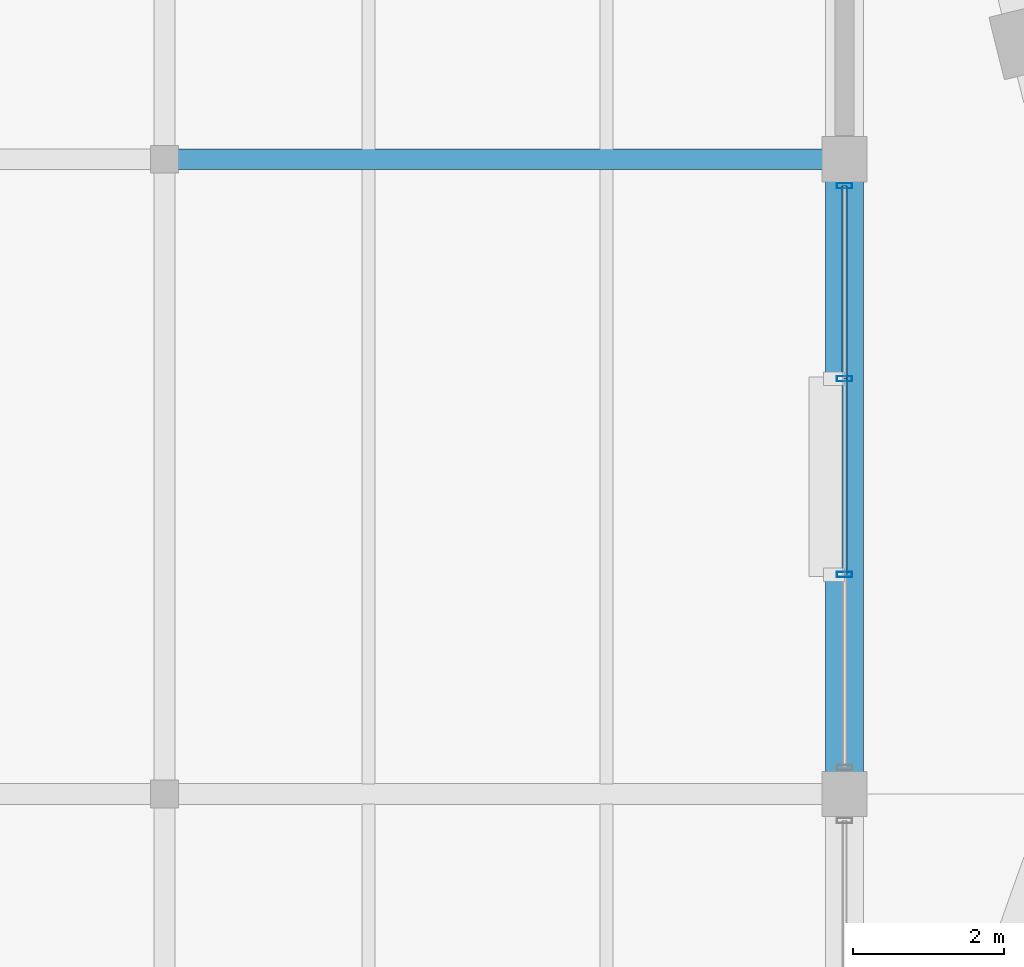
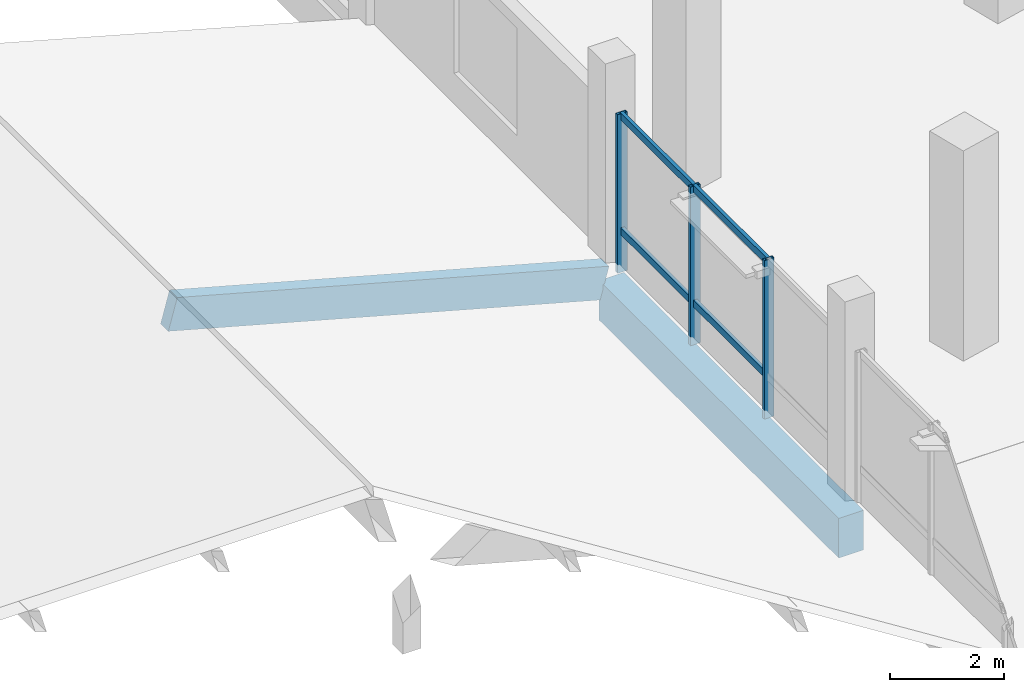
# One storey, part 22 of 77: 7 members, 2 beams, 1 element without a shape of its own.
"""IFC4 building model written with IfcOpenShell, lengths in metres."""

from ifc_helpers import new_model, si_unit, direction, frame, origin, origin_2d, place, context, subcontext, project, spatial, rectangle, hollow_rectangle, extrude, material, layer, layer_set, material_profile, profile_set, type_object, element, aggregate, save


model = new_model("IFC4")

# Units and contexts
model_context = context("Model", 3, precision=1e-05, world=origin(), true_north=direction((0.0, 1.0)))
body_context = subcontext(model_context, "Body", "Model", "MODEL_VIEW")
ifc_project = project(units=[si_unit("LENGTHUNIT", "METRE"), si_unit("AREAUNIT", "SQUARE_METRE"), si_unit("VOLUMEUNIT", "CUBIC_METRE"), si_unit("PLANEANGLEUNIT", "RADIAN"), si_unit("MASSUNIT", "GRAM", prefix="KILO")], contexts=[model_context])

# Site, building, storey
site_placement = place(None, origin())
site = spatial("IfcSite", under=ifc_project, at=site_placement, CompositionType="ELEMENT")
building_placement = place(site_placement, origin())
building = spatial("IfcBuilding", under=site, at=building_placement, Name="Meriwether Solvik Hall", CompositionType="ELEMENT")
storey_placement = place(building_placement, frame((0.0, 0.0, 9.89990234375)))
storey = spatial("IfcBuildingStorey", under=building, at=storey_placement, Name="L02", CompositionType="ELEMENT", Elevation=9.89990234375)

# Beams
ifc_material_1 = material(Name="Glulam Douglas-Fir 24F-V8 GL28h", Category="wood")
ifc_material_profile_1 = material_profile(ifc_material_1, rectangle(XDim=0.27294921875, YDim=0.68505859375, at=origin_2d()), Name="GLB-273X685")
ifc_profile_set_1 = profile_set([ifc_material_profile_1], Name="Glulam Douglas-Fir 24F-V8 GL28h")
beam_type_1 = type_object("IfcBeamType", Name="BM-GL-273X685", PredefinedType="BEAM", material=ifc_profile_set_1)
beam_1_placement = place(storey_placement, frame((59.181640625, 66.800048828125, -0.314208984375), z_axis=(-0.964611383686, 0.0, 0.263675707002), x_axis=(0.0, -1.0, 0.0)))
element("IfcBeam", 1, at=beam_1_placement, inside=storey, type_object=beam_type_1, Name="Raking Glulam Roof Rafter w1_east_gbl_e-H (L02)", PredefinedType="BEAM", context=body_context, shape_type="SweptSolid", body=[
    extrude(rectangle(XDim=0.27294921875, YDim=0.68505859375, at=origin_2d()), origin(), (0.0, 0.0, 1.0), 9.064697265625),
])
ifc_material_2 = material(Name="Concrete C40/50", Category="concrete")
ifc_material_profile_2 = material_profile(ifc_material_2, rectangle(XDim=0.5, YDim=0.85009765625, at=origin_2d()), Name="RCB-500X850")
ifc_profile_set_2 = profile_set([ifc_material_profile_2], Name="Concrete C40/50")
beam_type_2 = type_object("IfcBeamType", Name="BM-RC-500X850", PredefinedType="BEAM", material=ifc_profile_set_2)
beam_2_placement = place(storey_placement, frame((59.39990234375, 58.39990234375, -0.7548828125), z_axis=(0.0, 1.0, 0.0), x_axis=(-1.0, 0.0, 0.0)))
element("IfcBeam", 2, at=beam_2_placement, inside=storey, type_object=beam_type_2, Name="Podium Girder 7:G-H (L02)", PredefinedType="BEAM", context=body_context, shape_type="SweptSolid", body=[
    extrude(rectangle(XDim=0.5, YDim=0.85009765625, at=origin_2d()), origin(), (0.0, 0.0, 1.0), 8.400146484375),
])

# Curtain wall, members
ifc_material_3 = material(Name="Thermally Broken Anodised Aluminium 6063-T6 and Low-E Glass", Category="aluminium")
ifc_layer = layer(ifc_material_3, 0.179931640625)
ifc_layer_set = layer_set([ifc_layer], Name="Thermally Broken Anodised Aluminium 6063-T6 and Low-E Glass")
curtain_wall_type = type_object("IfcCurtainWallType", Name="CW-SF-POD-C", PredefinedType="USERDEFINED", material=ifc_layer_set)
curtain_wall_placement = place(storey_placement, origin())
curtain_wall = element("IfcCurtainWall", 3, at=curtain_wall_placement, inside=storey, type_object=curtain_wall_type, Name="Curtain Wall wing_Y7_7_30 (L02)", ObjectType="STICK STOREFRONT GLAZING", PredefinedType="USERDEFINED")
ifc_material_4 = material(Name="Anodised Aluminium 6063-T6", Category="aluminium")
ifc_material_profile_3 = material_profile(ifc_material_4, hollow_rectangle(XDim=0.070068359375, YDim=0.199951171875, WallThickness=0.0048828125, at=origin_2d()), Name="CWM-70X200")
ifc_profile_set_3 = profile_set([ifc_material_profile_3], Name="Anodised Aluminium 6063-T6")
member_type_1 = type_object("IfcMemberType", Name="CW-MUL-70X200", PredefinedType="MULLION", material=ifc_profile_set_3)
member_1_placement = place(storey_placement, frame((59.39990234375, 61.303955078125, 0.0), z_axis=(0.0, 0.0, 1.0), x_axis=(0.0, 1.0, 0.0)))
member_1 = element("IfcMember", 4, at=member_1_placement, type_object=member_type_1, Name="Curtain Wall Mullion 2", PredefinedType="MULLION", context=body_context, shape_type="SweptSolid", body=[
    extrude(hollow_rectangle(XDim=0.070068359375, YDim=0.199951171875, WallThickness=0.0048828125, at=origin_2d()), origin(), (0.0, 0.0, 1.0), 3.39501953125),
])
member_2_placement = place(storey_placement, frame((59.39990234375, 63.89599609375, 0.0), z_axis=(0.0, 0.0, 1.0), x_axis=(0.0, 1.0, 0.0)))
member_2 = element("IfcMember", 5, at=member_2_placement, type_object=member_type_1, Name="Curtain Wall Mullion 3", PredefinedType="MULLION", context=body_context, shape_type="SweptSolid", body=[
    extrude(hollow_rectangle(XDim=0.070068359375, YDim=0.199951171875, WallThickness=0.0048828125, at=origin_2d()), origin(), (0.0, 0.0, 1.0), 3.39501953125),
])
member_3_placement = place(storey_placement, frame((59.39990234375, 66.449951171875, 0.0), z_axis=(0.0, 0.0, 1.0), x_axis=(0.0, 1.0, 0.0)))
member_3 = element("IfcMember", 6, at=member_3_placement, type_object=member_type_1, Name="Curtain Wall Mullion 4", PredefinedType="MULLION", context=body_context, shape_type="SweptSolid", body=[
    extrude(hollow_rectangle(XDim=0.070068359375, YDim=0.199951171875, WallThickness=0.0048828125, at=origin_2d()), origin(), (0.0, 0.0, 1.0), 3.39501953125),
])
ifc_material_5 = material(Name="Anodised Aluminium 6063-T6", Category="aluminium")
ifc_material_profile_4 = material_profile(ifc_material_5, hollow_rectangle(XDim=0.070068359375, YDim=0.14990234375, WallThickness=0.0048828125, at=origin_2d()), Name="CWT-70X150")
ifc_profile_set_4 = profile_set([ifc_material_profile_4], Name="Anodised Aluminium 6063-T6")
member_type_2 = type_object("IfcMemberType", Name="CW-TRN-70X150", PredefinedType="USERDEFINED", material=ifc_profile_set_4)
member_4_placement = place(storey_placement, frame((59.39990234375, 61.303955078125, 0.880126953125), z_axis=(0.0, 1.0, 0.0), x_axis=(-1.0, 0.0, 0.0)))
member_4 = element("IfcMember", 7, at=member_4_placement, type_object=member_type_2, Name="Curtain Wall Transom 2-sill", ObjectType="TRANSOM", PredefinedType="USERDEFINED", context=body_context, shape_type="SweptSolid", body=[
    extrude(hollow_rectangle(XDim=0.070068359375, YDim=0.14990234375, WallThickness=0.0048828125, at=origin_2d()), origin(), (0.0, 0.0, 1.0), 2.592041015625),
])
member_5_placement = place(storey_placement, frame((59.39990234375, 61.303955078125, 3.335205078125), z_axis=(0.0, 1.0, 0.0), x_axis=(-1.0, 0.0, 0.0)))
member_5 = element("IfcMember", 8, at=member_5_placement, type_object=member_type_2, Name="Curtain Wall Transom 2-head", ObjectType="TRANSOM", PredefinedType="USERDEFINED", context=body_context, shape_type="SweptSolid", body=[
    extrude(hollow_rectangle(XDim=0.070068359375, YDim=0.14990234375, WallThickness=0.0048828125, at=origin_2d()), origin(), (0.0, 0.0, 1.0), 2.592041015625),
])
member_6_placement = place(storey_placement, frame((59.39990234375, 63.89599609375, 0.880126953125), z_axis=(0.0, 1.0, 0.0), x_axis=(-1.0, 0.0, 0.0)))
member_6 = element("IfcMember", 9, at=member_6_placement, type_object=member_type_2, Name="Curtain Wall Transom 3-sill", ObjectType="TRANSOM", PredefinedType="USERDEFINED", context=body_context, shape_type="SweptSolid", body=[
    extrude(hollow_rectangle(XDim=0.070068359375, YDim=0.14990234375, WallThickness=0.0048828125, at=origin_2d()), origin(), (0.0, 0.0, 1.0), 2.553955078125),
])
member_7_placement = place(storey_placement, frame((59.39990234375, 63.89599609375, 3.335205078125), z_axis=(0.0, 1.0, 0.0), x_axis=(-1.0, 0.0, 0.0)))
member_7 = element("IfcMember", 10, at=member_7_placement, type_object=member_type_2, Name="Curtain Wall Transom 3-head", ObjectType="TRANSOM", PredefinedType="USERDEFINED", context=body_context, shape_type="SweptSolid", body=[
    extrude(hollow_rectangle(XDim=0.070068359375, YDim=0.14990234375, WallThickness=0.0048828125, at=origin_2d()), origin(), (0.0, 0.0, 1.0), 2.553955078125),
])
aggregate(curtain_wall, [member_1, member_2, member_3, member_4, member_5, member_6, member_7])

save(model, "model.ifc")
